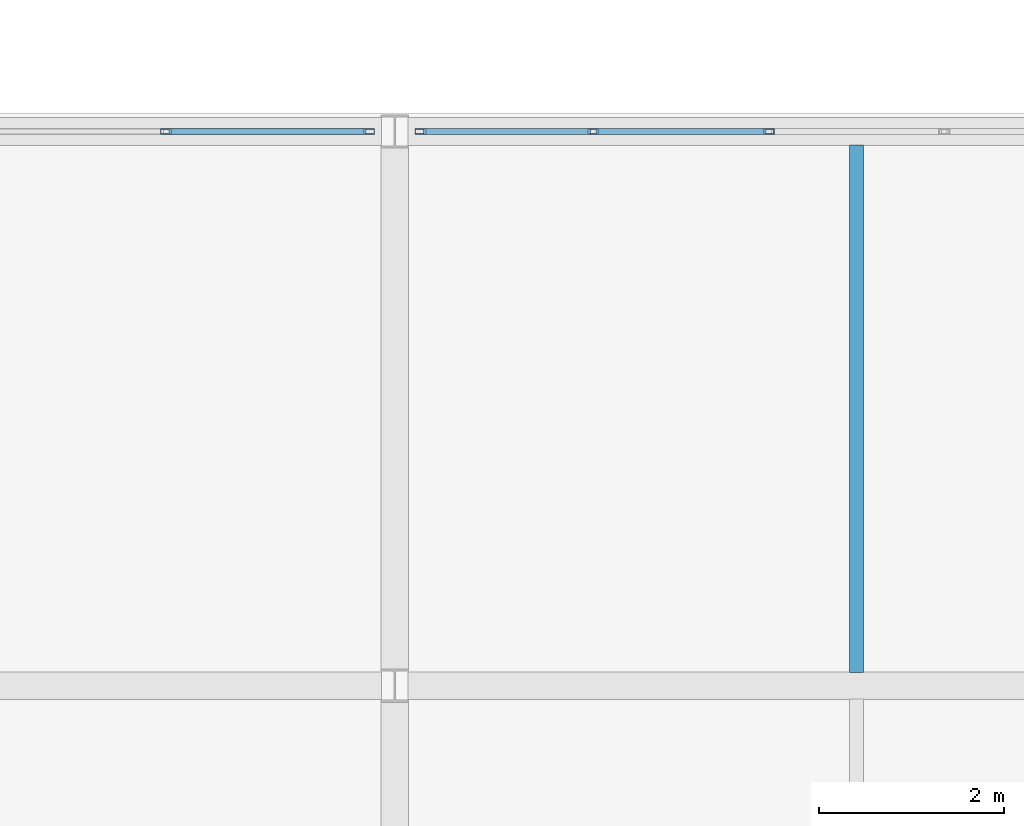
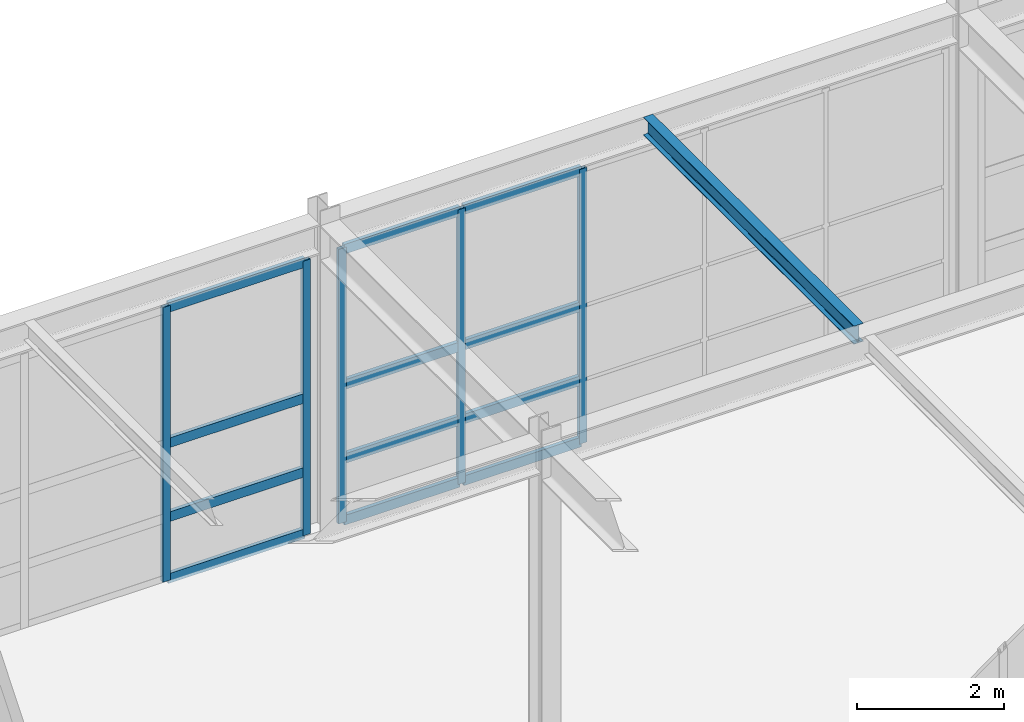
# One storey, part 174 of 239: 17 members, 1 beam, 2 elements without a shape of their own.
"""IFC4 building model written with IfcOpenShell, lengths in metres."""

from ifc_helpers import new_model, si_unit, direction, frame, origin, origin_2d, place, context, subcontext, project, spatial, hollow_rectangle, i_section, extrude, material, material_profile, profile_set, type_object, element, aggregate, save


model = new_model("IFC4")

# Units and contexts
model_context = context("Model", 3, precision=1e-05, world=origin(), true_north=direction((0.0, 1.0)))
body_context = subcontext(model_context, "Body", "Model", "MODEL_VIEW")
ifc_project = project(units=[si_unit("LENGTHUNIT", "METRE"), si_unit("AREAUNIT", "SQUARE_METRE"), si_unit("VOLUMEUNIT", "CUBIC_METRE"), si_unit("PLANEANGLEUNIT", "RADIAN"), si_unit("MASSUNIT", "GRAM", prefix="KILO")], contexts=[model_context])

# Site, building, storey
site_placement = place(None, origin())
site = spatial("IfcSite", under=ifc_project, at=site_placement, CompositionType="ELEMENT")
building_placement = place(site_placement, origin())
building = spatial("IfcBuilding", under=site, at=building_placement, Name="Kaldris Quays Convention Centre", CompositionType="ELEMENT")
storey_placement = place(building_placement, frame((0.0, 0.0, 11.39990234375)))
storey = spatial("IfcBuildingStorey", under=building, at=storey_placement, Name="L02", CompositionType="ELEMENT", Elevation=11.39990234375)

# Curtain wall, members
ifc_material_1 = material(Name="Anodized aluminium AW-6060 and triple glazing", Category="aluminium")
curtain_wall_type = type_object("IfcCurtainWallType", Name="UNITISED CURTAIN WALL CW06", PredefinedType="NOTDEFINED", material=ifc_material_1)
curtain_wall_1_placement = place(storey_placement, origin())
curtain_wall_1 = element("IfcCurtainWall", 1, at=curtain_wall_1_placement, inside=storey, type_object=curtain_wall_type, Name="L02 Unitised Curtain Wall CW06 166", PredefinedType="NOTDEFINED")
ifc_material_2 = material(Name="Anodized aluminium AW-6060", Category="aluminium")
ifc_material_profile_1 = material_profile(ifc_material_2, hollow_rectangle(XDim=0.06005859375, YDim=0.1201171875, WallThickness=0.00390625, at=origin_2d()), Name="RHS 120x60x4")
ifc_profile_set_1 = profile_set([ifc_material_profile_1], Name="Anodized aluminium AW-6060")
member_type_1 = type_object("IfcMemberType", Name="CURTAIN MULLION CWM3", PredefinedType="MULLION", material=ifc_profile_set_1)
member_1_placement = place(storey_placement, frame((171.52490234375, 116.0, 0.0), z_axis=(0.0, 0.0, 1.0), x_axis=(0.0, 1.0, 0.0)))
member_1 = element("IfcMember", 2, at=member_1_placement, type_object=member_type_1, Name="CW06 mullion 4", PredefinedType="MULLION", context=body_context, shape_type="SweptSolid", body=[
    extrude(hollow_rectangle(XDim=0.06005859375, YDim=0.1201171875, WallThickness=0.00390625, at=origin_2d()), origin(), (0.0, 0.0, 1.0), 4.548095703125),
])
member_2_placement = place(storey_placement, frame((173.719970703125, 116.0, 0.0), z_axis=(0.0, 0.0, 1.0), x_axis=(0.0, 1.0, 0.0)))
member_2 = element("IfcMember", 3, at=member_2_placement, type_object=member_type_1, Name="CW06 mullion 5", PredefinedType="MULLION", context=body_context, shape_type="SweptSolid", body=[
    extrude(hollow_rectangle(XDim=0.06005859375, YDim=0.1201171875, WallThickness=0.00390625, at=origin_2d()), origin(), (0.0, 0.0, 1.0), 4.548095703125),
])

curtain_wall_2_placement = place(storey_placement, origin())
curtain_wall_2 = element("IfcCurtainWall", 4, at=curtain_wall_2_placement, inside=storey, type_object=curtain_wall_type, Name="L02 Unitised Curtain Wall CW06 168", PredefinedType="NOTDEFINED")
member_3_placement = place(storey_placement, frame((174.280029296875, 116.0, 0.0), z_axis=(0.0, 0.0, 1.0), x_axis=(0.0, 1.0, 0.0)))
member_3 = element("IfcMember", 5, at=member_3_placement, type_object=member_type_1, Name="CW06 mullion 1", PredefinedType="MULLION", context=body_context, shape_type="SweptSolid", body=[
    extrude(hollow_rectangle(XDim=0.06005859375, YDim=0.1201171875, WallThickness=0.00390625, at=origin_2d()), origin(), (0.0, 0.0, 1.0), 4.548095703125),
])
member_4_placement = place(storey_placement, frame((176.14990234375, 116.0, 0.0), z_axis=(0.0, 0.0, 1.0), x_axis=(0.0, 1.0, 0.0)))
member_4 = element("IfcMember", 6, at=member_4_placement, type_object=member_type_1, Name="CW06 mullion 2", PredefinedType="MULLION", context=body_context, shape_type="SweptSolid", body=[
    extrude(hollow_rectangle(XDim=0.06005859375, YDim=0.1201171875, WallThickness=0.00390625, at=origin_2d()), origin(), (0.0, 0.0, 1.0), 4.548095703125),
])
member_5_placement = place(storey_placement, frame((178.050048828125, 116.0, 0.0), z_axis=(0.0, 0.0, 1.0), x_axis=(0.0, 1.0, 0.0)))
member_5 = element("IfcMember", 7, at=member_5_placement, type_object=member_type_1, Name="CW06 mullion 3", PredefinedType="MULLION", context=body_context, shape_type="SweptSolid", body=[
    extrude(hollow_rectangle(XDim=0.06005859375, YDim=0.1201171875, WallThickness=0.00390625, at=origin_2d()), origin(), (0.0, 0.0, 1.0), 4.548095703125),
])

# Member
ifc_material_profile_2 = material_profile(ifc_material_2, hollow_rectangle(XDim=0.06005859375, YDim=0.159912109375, WallThickness=0.00390625, at=origin_2d()), Name="RHS 160x60x4")
ifc_profile_set_2 = profile_set([ifc_material_profile_2], Name="Anodized aluminium AW-6060")
member_type_2 = type_object("IfcMemberType", Name="CURTAIN TRANSOM CWT2", PredefinedType="USERDEFINED", material=ifc_profile_set_2)
member_6_placement = place(storey_placement, frame((171.554931640625, 116.0, 0.030029296875), z_axis=(1.0, 0.0, 0.0), x_axis=(0.0, 1.0, 0.0)))
member_6 = element("IfcMember", 8, at=member_6_placement, type_object=member_type_2, Name="CW06 transom 4.1", ObjectType="TRANSOM", PredefinedType="USERDEFINED", context=body_context, shape_type="SweptSolid", body=[
    extrude(hollow_rectangle(XDim=0.06005859375, YDim=0.159912109375, WallThickness=0.00390625, at=origin_2d()), origin(), (0.0, 0.0, 1.0), 2.135009765625),
])

member_7_placement = place(storey_placement, frame((171.554931640625, 116.0, 1.050048828125), z_axis=(1.0, 0.0, 0.0), x_axis=(0.0, 1.0, 0.0)))
member_7 = element("IfcMember", 9, at=member_7_placement, type_object=member_type_2, Name="CW06 transom 4.2", ObjectType="TRANSOM", PredefinedType="USERDEFINED", context=body_context, shape_type="SweptSolid", body=[
    extrude(hollow_rectangle(XDim=0.06005859375, YDim=0.159912109375, WallThickness=0.00390625, at=origin_2d()), origin(), (0.0, 0.0, 1.0), 2.135009765625),
])

member_8_placement = place(storey_placement, frame((171.554931640625, 116.0, 2.274169921875), z_axis=(1.0, 0.0, 0.0), x_axis=(0.0, 1.0, 0.0)))
member_8 = element("IfcMember", 10, at=member_8_placement, type_object=member_type_2, Name="CW06 transom 4.3", ObjectType="TRANSOM", PredefinedType="USERDEFINED", context=body_context, shape_type="SweptSolid", body=[
    extrude(hollow_rectangle(XDim=0.06005859375, YDim=0.159912109375, WallThickness=0.00390625, at=origin_2d()), origin(), (0.0, 0.0, 1.0), 2.135009765625),
])

member_9_placement = place(storey_placement, frame((171.554931640625, 116.0, 4.51806640625), z_axis=(1.0, 0.0, 0.0), x_axis=(0.0, 1.0, 0.0)))
member_9 = element("IfcMember", 11, at=member_9_placement, type_object=member_type_2, Name="CW06 transom 4.4", ObjectType="TRANSOM", PredefinedType="USERDEFINED", context=body_context, shape_type="SweptSolid", body=[
    extrude(hollow_rectangle(XDim=0.06005859375, YDim=0.159912109375, WallThickness=0.00390625, at=origin_2d()), origin(), (0.0, 0.0, 1.0), 2.135009765625),
])

aggregate(curtain_wall_1, [member_1, member_2, member_6, member_7, member_8, member_9])

member_10_placement = place(storey_placement, frame((174.31005859375, 116.0, 0.030029296875), z_axis=(1.0, 0.0, 0.0), x_axis=(0.0, 1.0, 0.0)))
member_10 = element("IfcMember", 12, at=member_10_placement, type_object=member_type_2, Name="CW06 transom 1.1", ObjectType="TRANSOM", PredefinedType="USERDEFINED", context=body_context, shape_type="SweptSolid", body=[
    extrude(hollow_rectangle(XDim=0.06005859375, YDim=0.159912109375, WallThickness=0.00390625, at=origin_2d()), origin(), (0.0, 0.0, 1.0), 1.81005859375),
])

member_11_placement = place(storey_placement, frame((174.31005859375, 116.0, 1.050048828125), z_axis=(1.0, 0.0, 0.0), x_axis=(0.0, 1.0, 0.0)))
member_11 = element("IfcMember", 13, at=member_11_placement, type_object=member_type_2, Name="CW06 transom 1.2", ObjectType="TRANSOM", PredefinedType="USERDEFINED", context=body_context, shape_type="SweptSolid", body=[
    extrude(hollow_rectangle(XDim=0.06005859375, YDim=0.159912109375, WallThickness=0.00390625, at=origin_2d()), origin(), (0.0, 0.0, 1.0), 1.81005859375),
])

member_12_placement = place(storey_placement, frame((174.31005859375, 116.0, 2.274169921875), z_axis=(1.0, 0.0, 0.0), x_axis=(0.0, 1.0, 0.0)))
member_12 = element("IfcMember", 14, at=member_12_placement, type_object=member_type_2, Name="CW06 transom 1.3", ObjectType="TRANSOM", PredefinedType="USERDEFINED", context=body_context, shape_type="SweptSolid", body=[
    extrude(hollow_rectangle(XDim=0.06005859375, YDim=0.159912109375, WallThickness=0.00390625, at=origin_2d()), origin(), (0.0, 0.0, 1.0), 1.81005859375),
])

member_13_placement = place(storey_placement, frame((174.31005859375, 116.0, 4.51806640625), z_axis=(1.0, 0.0, 0.0), x_axis=(0.0, 1.0, 0.0)))
member_13 = element("IfcMember", 15, at=member_13_placement, type_object=member_type_2, Name="CW06 transom 1.4", ObjectType="TRANSOM", PredefinedType="USERDEFINED", context=body_context, shape_type="SweptSolid", body=[
    extrude(hollow_rectangle(XDim=0.06005859375, YDim=0.159912109375, WallThickness=0.00390625, at=origin_2d()), origin(), (0.0, 0.0, 1.0), 1.81005859375),
])

member_14_placement = place(storey_placement, frame((176.179931640625, 116.0, 0.030029296875), z_axis=(1.0, 0.0, 0.0), x_axis=(0.0, 1.0, 0.0)))
member_14 = element("IfcMember", 16, at=member_14_placement, type_object=member_type_2, Name="CW06 transom 2.1", ObjectType="TRANSOM", PredefinedType="USERDEFINED", context=body_context, shape_type="SweptSolid", body=[
    extrude(hollow_rectangle(XDim=0.06005859375, YDim=0.159912109375, WallThickness=0.00390625, at=origin_2d()), origin(), (0.0, 0.0, 1.0), 1.840087890625),
])

member_15_placement = place(storey_placement, frame((176.179931640625, 116.0, 1.050048828125), z_axis=(1.0, 0.0, 0.0), x_axis=(0.0, 1.0, 0.0)))
member_15 = element("IfcMember", 17, at=member_15_placement, type_object=member_type_2, Name="CW06 transom 2.2", ObjectType="TRANSOM", PredefinedType="USERDEFINED", context=body_context, shape_type="SweptSolid", body=[
    extrude(hollow_rectangle(XDim=0.06005859375, YDim=0.159912109375, WallThickness=0.00390625, at=origin_2d()), origin(), (0.0, 0.0, 1.0), 1.840087890625),
])

member_16_placement = place(storey_placement, frame((176.179931640625, 116.0, 2.274169921875), z_axis=(1.0, 0.0, 0.0), x_axis=(0.0, 1.0, 0.0)))
member_16 = element("IfcMember", 18, at=member_16_placement, type_object=member_type_2, Name="CW06 transom 2.3", ObjectType="TRANSOM", PredefinedType="USERDEFINED", context=body_context, shape_type="SweptSolid", body=[
    extrude(hollow_rectangle(XDim=0.06005859375, YDim=0.159912109375, WallThickness=0.00390625, at=origin_2d()), origin(), (0.0, 0.0, 1.0), 1.840087890625),
])

member_17_placement = place(storey_placement, frame((176.179931640625, 116.0, 4.51806640625), z_axis=(1.0, 0.0, 0.0), x_axis=(0.0, 1.0, 0.0)))
member_17 = element("IfcMember", 19, at=member_17_placement, type_object=member_type_2, Name="CW06 transom 2.4", ObjectType="TRANSOM", PredefinedType="USERDEFINED", context=body_context, shape_type="SweptSolid", body=[
    extrude(hollow_rectangle(XDim=0.06005859375, YDim=0.159912109375, WallThickness=0.00390625, at=origin_2d()), origin(), (0.0, 0.0, 1.0), 1.840087890625),
])

aggregate(curtain_wall_2, [member_3, member_4, member_5, member_10, member_11, member_12, member_13, member_14, member_15, member_16, member_17])

# Beam
ifc_material_3 = material(Name="Steel S355J2", Category="steel")
ifc_material_profile_3 = material_profile(ifc_material_3, i_section(OverallWidth=0.14990234375, OverallDepth=0.300048828125, WebThickness=0.007080078125, FlangeThickness=0.0107421875, FilletRadius=0.014892578125, at=origin_2d()), Name="IPE 300")
ifc_profile_set_3 = profile_set([ifc_material_profile_3], Name="Steel S355J2")
beam_type = type_object("IfcBeamType", Name="STRUCTURAL BEAM JT04", PredefinedType="JOIST", material=ifc_profile_set_3)
beam_placement = place(storey_placement, frame((179.0, 110.14404296875, 5.01318359375), z_axis=(0.0, 1.0, 0.0), x_axis=(-1.0, 0.0, 0.0)))
element("IfcBeam", 20, at=beam_placement, inside=storey, type_object=beam_type, Name="L02 Secondary Joist JT04 34", PredefinedType="JOIST", context=body_context, shape_type="SweptSolid", body=[
    extrude(i_section(OverallWidth=0.14990234375, OverallDepth=0.300048828125, WebThickness=0.007080078125, FlangeThickness=0.0107421875, FilletRadius=0.014892578125, at=origin_2d()), origin(), (0.0, 0.0, 1.0), 5.7119140625),
])

save(model, "model.ifc")
